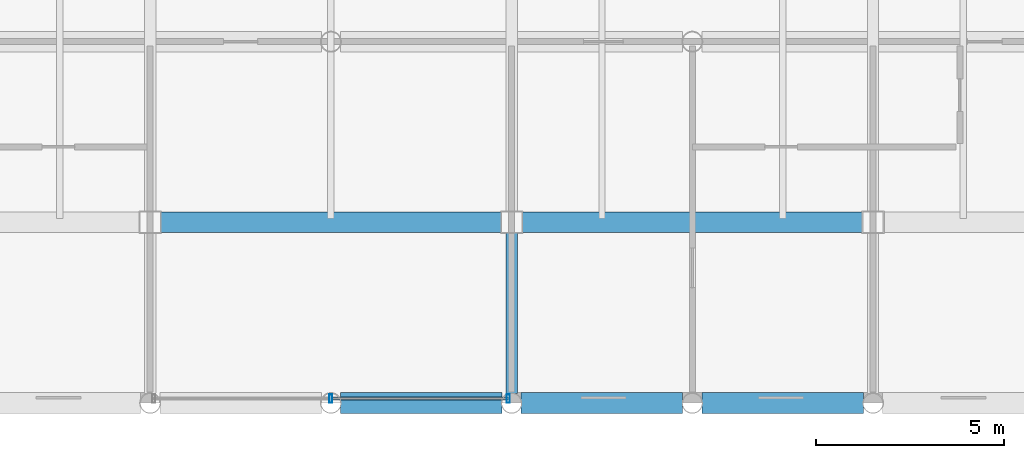
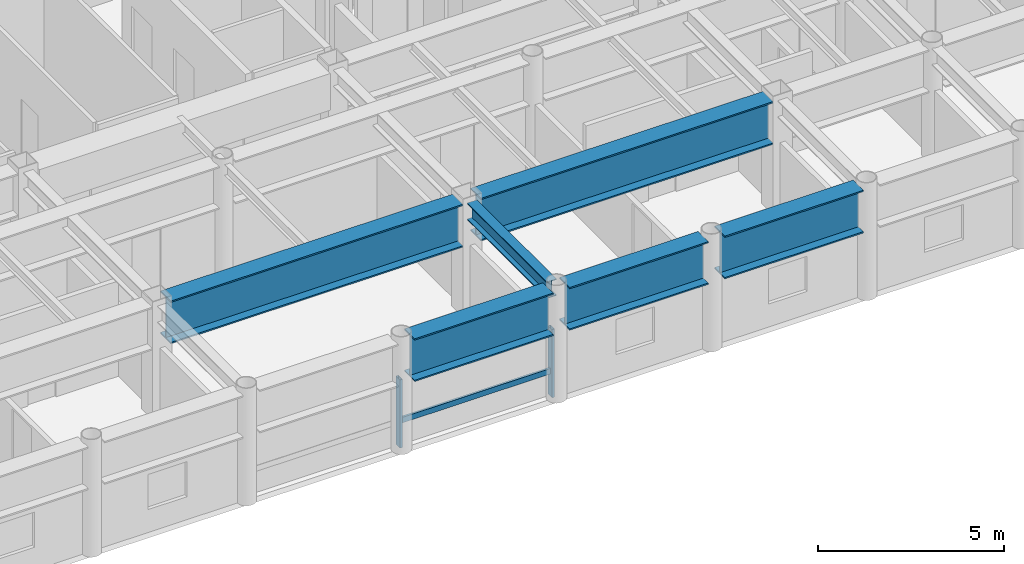
# One storey, part 10 of 27: 6 beams, 3 members, 1 element without a shape of its own.
"""IFC4 building model written with IfcOpenShell, lengths in metres."""

from ifc_helpers import new_model, si_unit, direction, frame, origin, origin_2d, place, context, subcontext, project, spatial, hollow_rectangle, i_section, extrude, material, layer, layer_set, material_profile, profile_set, type_object, element, aggregate, save


model = new_model("IFC4")

# Units and contexts
model_context = context("Model", 3, precision=1e-05, world=origin(), true_north=direction((0.0, 1.0)))
body_context = subcontext(model_context, "Body", "Model", "MODEL_VIEW")
ifc_project = project(units=[si_unit("LENGTHUNIT", "METRE"), si_unit("AREAUNIT", "SQUARE_METRE"), si_unit("VOLUMEUNIT", "CUBIC_METRE"), si_unit("PLANEANGLEUNIT", "RADIAN"), si_unit("MASSUNIT", "GRAM", prefix="KILO")], contexts=[model_context])

# Site, building, storey
site_placement = place(None, origin())
site = spatial("IfcSite", under=ifc_project, at=site_placement, CompositionType="ELEMENT")
building_placement = place(site_placement, origin())
building = spatial("IfcBuilding", under=site, at=building_placement, Name="Kallvorn Hotel Tower", CompositionType="ELEMENT")
storey_placement = place(building_placement, frame((0.0, 0.0, 245.39990234375)))
storey = spatial("IfcBuildingStorey", under=building, at=storey_placement, Name="L61", CompositionType="ELEMENT", Elevation=245.39990234375)

# Beams
ifc_material_1 = material(Name="Structural steel S355JR", Category="steel")
ifc_material_profile_1 = material_profile(ifc_material_1, i_section(OverallWidth=0.300048828125, OverallDepth=0.550048828125, WebThickness=0.014892578125, FlangeThickness=0.029052734375, at=origin_2d()), Name="HE 550 B")
ifc_profile_set_1 = profile_set([ifc_material_profile_1], Name="Structural steel S355JR")
beam_type_1 = type_object("IfcBeamType", Name="BM_HE550B", PredefinedType="SPANDREL", material=ifc_profile_set_1)
beam_1_placement = place(storey_placement, frame((4.800048828125, -18.945556640625, 3.39501953125), z_axis=(0.0, 1.0, 0.0), x_axis=(-1.0, 0.0, 0.0)))
element("IfcBeam", 1, at=beam_1_placement, inside=storey, type_object=beam_type_1, Name="L62 Primary Y-Girder 122", PredefinedType="SPANDREL", context=body_context, shape_type="SweptSolid", body=[
    extrude(i_section(OverallWidth=0.300048828125, OverallDepth=0.550048828125, WebThickness=0.014892578125, FlangeThickness=0.029052734375, at=origin_2d()), origin(), (0.0, 0.0, 1.0), 4.2705078125),
])
ifc_material_2 = material(Name="Structural steel S355JR", Category="steel")
ifc_material_profile_2 = material_profile(ifc_material_2, i_section(OverallWidth=0.550048828125, OverallDepth=1.39990234375, WebThickness=0.02490234375, FlangeThickness=0.044921875, at=origin_2d()), Name="PG 1400x550x25x45")
ifc_profile_set_2 = profile_set([ifc_material_profile_2], Name="Structural steel S355JR")
beam_type_2 = type_object("IfcBeamType", Name="BM_PG_1400", PredefinedType="BEAM", material=ifc_profile_set_2)
for number, where, z_axis, x_axis, name in (
    (2, (0.25439453125, -19.199951171875, 2.97021484375), (1.0, 0.0, 0.0), (0.0, 1.0, 0.0), "L62 Primary X-Girder 16"),
    (3, (5.054443359375, -19.199951171875, 2.97021484375), (1.0, 0.0, 0.0), (0.0, 1.0, 0.0), "L62 Primary X-Girder 17"),
    (4, (9.8544921875, -19.199951171875, 2.97021484375), (1.0, 0.0, 0.0), (0.0, 1.0, 0.0), "L62 Primary X-Girder 18"),
):
    element("IfcBeam", number, at=place(storey_placement, frame(where, z_axis=z_axis, x_axis=x_axis)), inside=storey, type_object=beam_type_2, Name=name, PredefinedType="BEAM", context=body_context, shape_type="SweptSolid", body=[
        extrude(i_section(OverallWidth=0.550048828125, OverallDepth=1.39990234375, WebThickness=0.02490234375, FlangeThickness=0.044921875, at=origin_2d()), origin(), (0.0, 0.0, 1.0), 4.291015625),
    ])
beam_2_placement = place(storey_placement, frame((-4.52490234375, -14.39990234375, 2.97021484375), z_axis=(1.0, 0.0, 0.0), x_axis=(0.0, 1.0, 0.0)))
element("IfcBeam", 5, at=beam_2_placement, inside=storey, type_object=beam_type_2, Name="L62 Primary X-Girder 26", PredefinedType="BEAM", context=body_context, shape_type="SweptSolid", body=[
    extrude(i_section(OverallWidth=0.550048828125, OverallDepth=1.39990234375, WebThickness=0.02490234375, FlangeThickness=0.044921875, at=origin_2d()), origin(), (0.0, 0.0, 1.0), 9.0498046875),
])
beam_3_placement = place(storey_placement, frame((5.074951171875, -14.39990234375, 2.97021484375), z_axis=(1.0, 0.0, 0.0), x_axis=(0.0, 1.0, 0.0)))
element("IfcBeam", 6, at=beam_3_placement, inside=storey, type_object=beam_type_2, Name="L62 Primary X-Girder 27", PredefinedType="BEAM", context=body_context, shape_type="SweptSolid", body=[
    extrude(i_section(OverallWidth=0.550048828125, OverallDepth=1.39990234375, WebThickness=0.02490234375, FlangeThickness=0.044921875, at=origin_2d()), origin(), (0.0, 0.0, 1.0), 9.050048828125),
])

# Curtain wall, members
ifc_material_3 = material(Name="Thermally broken black-anodised aluminium AA 6063-T6", Category="aluminium")
ifc_layer = layer(ifc_material_3, 0.22998046875)
ifc_layer_set = layer_set([ifc_layer], Name="CW_SYS_5_HOTEL_HIGH")
curtain_wall_type = type_object("IfcCurtainWallType", Name="CW_SYS_5_HOTEL_HIGH", PredefinedType="USERDEFINED", material=ifc_layer_set)
curtain_wall_placement = place(storey_placement, origin())
curtain_wall = element("IfcCurtainWall", 7, at=curtain_wall_placement, inside=storey, type_object=curtain_wall_type, Name="L61 Dark-Glass Curtain Wall CW-L61-SC", ObjectType="UNITISED CURTAIN WALL", PredefinedType="USERDEFINED")
ifc_material_4 = material(Name="Thermally broken black-anodised aluminium AA 6063-T6", Category="aluminium")
ifc_material_profile_3 = material_profile(ifc_material_4, hollow_rectangle(XDim=0.080078125, YDim=0.219970703125, WallThickness=0.0048828125, at=origin_2d()), Name="MUL 220x80")
ifc_profile_set_3 = profile_set([ifc_material_profile_3], Name="Thermally broken black-anodised aluminium AA 6063-T6")
member_type_1 = type_object("IfcMemberType", Name="CW_MULLION_220x80", PredefinedType="MULLION", material=ifc_profile_set_3)
member_1_placement = place(storey_placement, frame((0.0, -19.080078125, 0.02001953125), z_axis=(0.0, 0.0, 1.0), x_axis=(1.0, 0.0, 0.0)))
member_1 = element("IfcMember", 8, at=member_1_placement, type_object=member_type_1, Name="CW-L61-SC Mullion 01", PredefinedType="MULLION", context=body_context, shape_type="SweptSolid", body=[
    extrude(hollow_rectangle(XDim=0.080078125, YDim=0.219970703125, WallThickness=0.0048828125, at=origin_2d()), origin(), (0.0, 0.0, 1.0), 2.22998046875),
])
member_2_placement = place(storey_placement, frame((4.7099609375, -19.080078125, 0.02001953125), z_axis=(0.0, 0.0, 1.0), x_axis=(1.0, 0.0, 0.0)))
member_2 = element("IfcMember", 9, at=member_2_placement, type_object=member_type_1, Name="CW-L61-SC Mullion 02", PredefinedType="MULLION", context=body_context, shape_type="SweptSolid", body=[
    extrude(hollow_rectangle(XDim=0.080078125, YDim=0.219970703125, WallThickness=0.0048828125, at=origin_2d()), origin(), (0.0, 0.0, 1.0), 2.22998046875),
])
ifc_material_5 = material(Name="Thermally broken black-anodised aluminium AA 6063-T6", Category="aluminium")
ifc_material_profile_4 = material_profile(ifc_material_5, hollow_rectangle(XDim=0.070068359375, YDim=0.179931640625, WallThickness=0.00390625, at=origin_2d()), Name="TRN 180x70")
ifc_profile_set_4 = profile_set([ifc_material_profile_4], Name="Thermally broken black-anodised aluminium AA 6063-T6")
member_type_2 = type_object("IfcMemberType", Name="CW_TRANSOM_180x70", PredefinedType="USERDEFINED", material=ifc_profile_set_4)
member_3_placement = place(storey_placement, frame((0.0400390625, -19.080078125, 0.85009765625), z_axis=(1.0, 0.0, 0.0), x_axis=(0.0, 1.0, 0.0)))
member_3 = element("IfcMember", 10, at=member_3_placement, type_object=member_type_2, Name="CW-L61-SC Transom 01M", ObjectType="TRANSOM", PredefinedType="USERDEFINED", context=body_context, shape_type="SweptSolid", body=[
    extrude(hollow_rectangle(XDim=0.070068359375, YDim=0.179931640625, WallThickness=0.00390625, at=origin_2d()), origin(), (0.0, 0.0, 1.0), 4.669921875),
])
aggregate(curtain_wall, [member_1, member_2, member_3])

save(model, "model.ifc")
